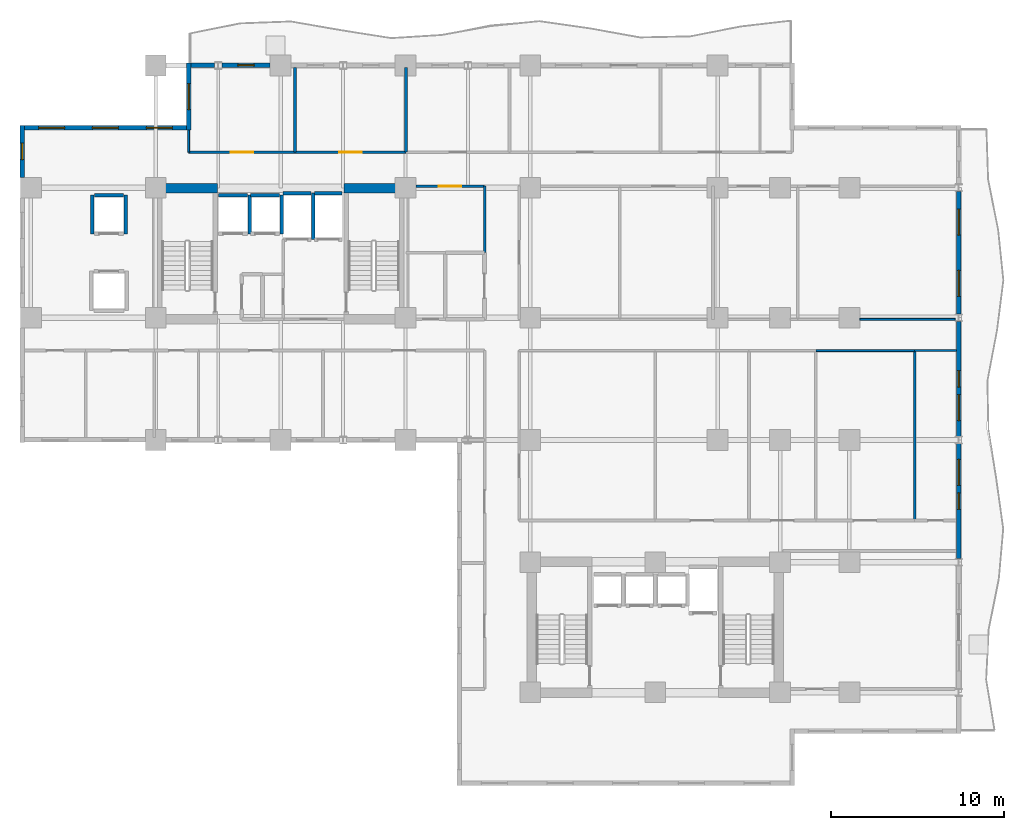
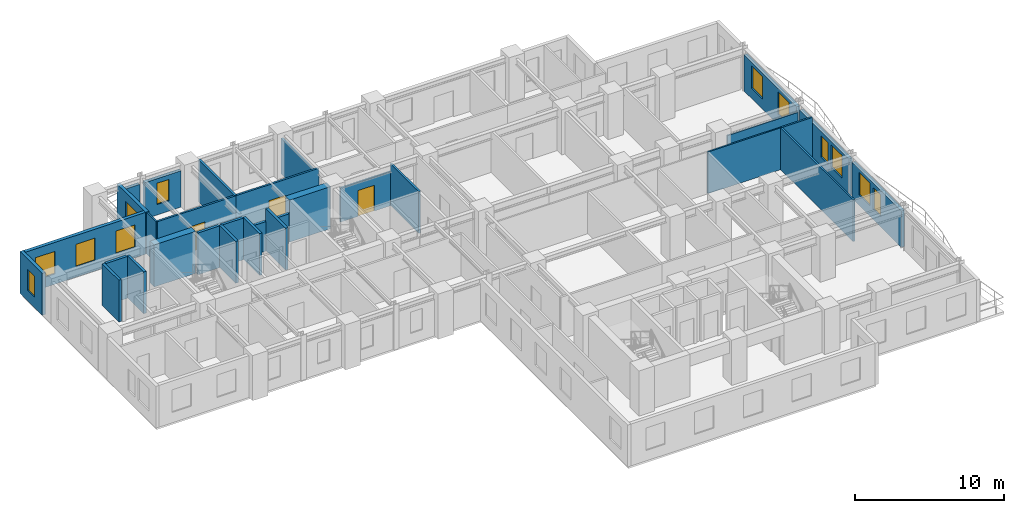
# One storey, part 6 of 11: 31 walls, 12 windows, 3 doors, 15 openings.
"""IFC4 building model written with IfcOpenShell, lengths in metres."""

import ifcopenshell
import ifcopenshell.guid

model = None  # the IFC model being written
_history = None  # IfcOwnerHistory: only IFC2X3 demands one
_inside = {}  # id of a spatial element -> (the spatial element, [elements in it])
_under = {}  # id of a project, library or spatial element -> (it, [spatial elements below it])
_declared = {}  # id of a project -> (the project, [libraries it declares])
_typed = {}  # id of a type object -> (the type object, [elements of that type])
_made_of = {}  # id of a material, layer set ... -> (it, [elements and type objects made of it])


def new_model(schema):
    """Start an empty IFC model of exactly this schema.

    Asked for "IFC4X3", IfcOpenShell would pick the latest addendum, in which some entities
    have other attributes; the version numbers below select the first issue.
    IFC2X3 requires an IfcOwnerHistory on every rooted entity: one is made here for all.
    """
    global model, _history
    if schema == "IFC4X3":
        model = ifcopenshell.file(schema_version=(4, 3, 0, 0))
    else:
        model = ifcopenshell.file(schema=schema)
    _inside.clear()
    _under.clear()
    _declared.clear()
    _typed.clear()
    _made_of.clear()
    _history = None
    if model.schema == "IFC2X3":
        org = make("IfcOrganization", Name="unknown")
        user = make(
            "IfcPersonAndOrganization",
            ThePerson=make("IfcPerson", FamilyName="unknown"),
            TheOrganization=org,
        )
        app = make(
            "IfcApplication",
            ApplicationDeveloper=org,
            Version="unknown",
            ApplicationFullName="unknown",
            ApplicationIdentifier="unknown",
        )
        _history = make(
            "IfcOwnerHistory",
            OwningUser=user,
            OwningApplication=app,
            ChangeAction="ADDED",
            CreationDate=0,
        )
    return model


def make(cls, **values):
    """One entity of the class cls with the attributes given. An attribute that is None is left unset."""
    return model.create_entity(
        cls, **{name: value for name, value in values.items() if value is not None}
    )


def rooted(cls, **values):
    """An entity with a GlobalId (a new one), such as an element, a storey or a relation."""
    return make(cls, GlobalId=ifcopenshell.guid.new(), OwnerHistory=_history, **values)


def si_unit(unit_type, name, prefix=None):
    """IfcSIUnit, for example si_unit("LENGTHUNIT", "METRE", prefix="MILLI")."""
    return make("IfcSIUnit", UnitType=unit_type, Prefix=prefix, Name=name)


def assignment(units):
    """IfcUnitAssignment: the units of a project."""
    return None if units is None else make("IfcUnitAssignment", Units=units)


def point(xyz):
    """IfcCartesianPoint."""
    return None if xyz is None else make("IfcCartesianPoint", Coordinates=xyz)


def direction(xyz):
    """IfcDirection."""
    return None if xyz is None else make("IfcDirection", DirectionRatios=xyz)


def frame(location, z_axis=None, x_axis=None):
    """IfcAxis2Placement3D, a coordinate frame: its origin and axes. An axis left out is left unset."""
    return make(
        "IfcAxis2Placement3D",
        Location=point(location),
        Axis=direction(z_axis),
        RefDirection=direction(x_axis),
    )


def frame_2d(location, x_axis=None):
    """IfcAxis2Placement2D, a coordinate frame in the plane: its origin and x axis."""
    return make(
        "IfcAxis2Placement2D", Location=point(location), RefDirection=direction(x_axis)
    )


def origin():
    """The frame at (0, 0, 0) with its axes left unset."""
    return frame((0.0, 0.0, 0.0))


def place(relative_to, where):
    """IfcLocalPlacement: puts the frame where relative to a parent placement (None: the world)."""
    return make(
        "IfcLocalPlacement", PlacementRelTo=relative_to, RelativePlacement=where
    )


def context(
    kind, dimensions, precision=None, world=None, true_north=None, identifier=None
):
    """IfcGeometricRepresentationContext, for example the 3D "Model" context."""
    return make(
        "IfcGeometricRepresentationContext",
        ContextIdentifier=identifier,
        ContextType=kind,
        CoordinateSpaceDimension=dimensions,
        Precision=precision,
        WorldCoordinateSystem=world,
        TrueNorth=true_north,
    )


def subcontext(parent, identifier, kind, view, scale=None):
    """IfcGeometricRepresentationSubContext, for example "Body" below "Model"."""
    return make(
        "IfcGeometricRepresentationSubContext",
        ContextIdentifier=identifier,
        ContextType=kind,
        ParentContext=parent,
        TargetScale=scale,
        TargetView=view,
    )


def project(units=None, contexts=None):
    """IfcProject with its units and contexts."""
    return rooted(
        "IfcProject",
        Name="project",
        RepresentationContexts=contexts,
        UnitsInContext=assignment(units),
    )


def spatial(cls, under=None, at=None, **own):
    """A site, building, storey or space (cls), placed at a placement, below another one or the project."""
    s = rooted(cls, ObjectPlacement=at, **own)
    if under is not None:
        _under.setdefault(under.id(), (under, []))[1].append(s)
    return s


def profile(cls, at=None, kind="AREA", **sizes):
    """A parametric profile (cls). Its sizes go by their IFC names, for example OverallWidth=200.0."""
    return make(cls, ProfileType=kind, Position=at, **sizes)


def rectangle(**sizes):
    """IfcRectangleProfileDef."""
    return profile("IfcRectangleProfileDef", **sizes)


def extrude(swept, where, along, depth):
    """IfcExtrudedAreaSolid: the profile swept, set in the frame where, extruded along a direction by depth."""
    return make(
        "IfcExtrudedAreaSolid",
        SweptArea=swept,
        Position=where,
        ExtrudedDirection=direction(along),
        Depth=depth,
    )


def shape(context_of_items, identifier, shape_type, items):
    """IfcShapeRepresentation: the items that make up one representation, for example the "Body"."""
    return make(
        "IfcShapeRepresentation",
        ContextOfItems=context_of_items,
        RepresentationIdentifier=identifier,
        RepresentationType=shape_type,
        Items=items,
    )


def material(Name=None, Category=None):
    """IfcMaterial."""
    return make("IfcMaterial", Name=Name, Category=Category)


def layer(
    of_material, thickness, ventilated=None, Name=None, Category=None, Priority=None
):
    """IfcMaterialLayer: one layer of a wall or slab, of a material (None: an air gap)."""
    return make(
        "IfcMaterialLayer",
        Material=of_material,
        LayerThickness=thickness,
        IsVentilated=ventilated,
        Name=Name,
        Category=Category,
        Priority=Priority,
    )


def layer_set(layers, Name=None):
    """IfcMaterialLayerSet."""
    return make("IfcMaterialLayerSet", MaterialLayers=layers, LayerSetName=Name)


def made_of(thing, what):
    """Note that an element or type object is made of a material, layer set ...; save() writes the relation."""
    if what is not None:
        _made_of.setdefault(what.id(), (what, []))[1].append(thing)
    return thing


def type_object(cls, material=None, **own):
    """A type object (cls), such as IfcWallType, which elements share."""
    return made_of(rooted(cls, **own), material)


def element(
    cls,
    number,
    at=None,
    inside=None,
    cuts=None,
    type_object=None,
    material=None,
    context=None,
    identifier="Body",
    shape_type=None,
    held_by="IfcProductDefinitionShape",
    body=None,
    shapes=None,
    **own,
):
    """One element of the class cls, such as IfcWall. Its Tag is "e" and its number.

    at: its placement. inside: the storey or other place that contains it. cuts: it is an
    opening in that element (IfcRelVoidsElement). A single representation is given by context,
    identifier, shape_type and body (its items); several are given by shapes. held_by: the class
    of the entity that holds the representations. save() writes the other relations.
    """
    e = rooted(cls, Tag="e%d" % number, ObjectPlacement=at, **own)
    if body is not None:
        shapes = [shape(context, identifier, shape_type, body)]
    if shapes is not None:
        e.Representation = make(held_by, Representations=shapes)
    if inside is not None:
        _inside.setdefault(inside.id(), (inside, []))[1].append(e)
    if cuts is not None:
        rooted(
            "IfcRelVoidsElement", RelatingBuildingElement=cuts, RelatedOpeningElement=e
        )
    if type_object is not None:
        _typed.setdefault(type_object.id(), (type_object, []))[1].append(e)
    return made_of(e, material)


def fill(opening, filler):
    """IfcRelFillsElement: the door or window that sits in an opening."""
    return rooted(
        "IfcRelFillsElement",
        RelatingOpeningElement=opening,
        RelatedBuildingElement=filler,
    )


def aggregate(whole, parts):
    """IfcRelAggregates: a whole, such as a stair, and the parts it consists of."""
    return rooted("IfcRelAggregates", RelatingObject=whole, RelatedObjects=parts)


def save(model, path):
    """Write the relations noted so far, then the file.

    IfcRelAggregates (storeys below a building ...), IfcRelContainedInSpatialStructure (elements
    in a storey), IfcRelDefinesByType, IfcRelAssociatesMaterial and IfcRelDeclares: one each for
    every whole, place, type object, material and project.
    """
    for whole, parts in _under.values():
        aggregate(whole, parts)
    for where, things in _inside.values():
        rooted(
            "IfcRelContainedInSpatialStructure",
            RelatedElements=things,
            RelatingStructure=where,
        )
    for kind, things in _typed.values():
        rooted("IfcRelDefinesByType", RelatedObjects=things, RelatingType=kind)
    for what, things in _made_of.values():
        rooted("IfcRelAssociatesMaterial", RelatedObjects=things, RelatingMaterial=what)
    for by, libraries in _declared.values():
        rooted("IfcRelDeclares", RelatingContext=by, RelatedDefinitions=libraries)
    model.write(path)


model = new_model("IFC4")

# Units and contexts
model_context = context("Model", 3, precision=1e-05, world=origin(), true_north=direction((0.0, 1.0)))
body_context = subcontext(model_context, "Body", "Model", "MODEL_VIEW")
ifc_project = project(units=[si_unit("LENGTHUNIT", "METRE"), si_unit("AREAUNIT", "SQUARE_METRE"), si_unit("VOLUMEUNIT", "CUBIC_METRE"), si_unit("PLANEANGLEUNIT", "RADIAN"), si_unit("MASSUNIT", "GRAM", prefix="KILO")], contexts=[model_context])

# Site, building, storey
site_placement = place(None, origin())
site = spatial("IfcSite", under=ifc_project, at=site_placement, CompositionType="ELEMENT")
building_placement = place(site_placement, origin())
building = spatial("IfcBuilding", under=site, at=building_placement, Name="Kaliganga Portal Commons", CompositionType="ELEMENT")
storey_placement = place(building_placement, frame((0.0, 0.0, 115.60009765625)))
storey = spatial("IfcBuildingStorey", under=building, at=storey_placement, Name="L29", CompositionType="ELEMENT", Elevation=115.60009765625)

# Walls
ifc_material_1 = material(Name="Concrete C60/75", Category="concrete")
ifc_layer_1 = layer(ifc_material_1, 0.550048828125)
ifc_layer_set_1 = layer_set([ifc_layer_1], Name="Concrete C60/75")
wall_type_1 = type_object("IfcWallType", Name="WL-CORE-550", PredefinedType="SHEAR", material=ifc_layer_set_1)
for number, where, z_axis, x_axis, name in (
    (1, (14.75, 36.125, 0.0), (0.0, 0.0, 1.0), (1.0, 0.0, 0.0), "Core A N-West Shear Wall L29"),
    (2, (25.25, 36.125, 0.0), (0.0, 0.0, 1.0), (1.0, 0.0, 0.0), "Core A N-East Shear Wall L29"),
):
    element("IfcWall", number, at=place(storey_placement, frame(where, z_axis=z_axis, x_axis=x_axis)), inside=storey, type_object=wall_type_1, Name=name, PredefinedType="SHEAR", context=body_context, shape_type="SweptSolid", body=[
        extrude(rectangle(XDim=3.199951171875, YDim=0.550048828125, at=frame_2d((1.60009765625, 0.0))), origin(), (0.0, 0.0, 1.0), 3.449951171875),
    ])

# Wall, openings, windows
ifc_material_2 = material(Name="Insulated Aluminium-Clad Spandrel Assembly", Category="aluminium")
ifc_layer_2 = layer(ifc_material_2, 0.260009765625)
ifc_layer_set_2 = layer_set([ifc_layer_2], Name="Insulated Aluminium-Clad Spandrel Assembly")
wall_type_2 = type_object("IfcWallType", Name="WL-EXT-SPAND-260", PredefinedType="STANDARD", material=ifc_layer_set_2)
wall_1_placement = place(storey_placement, frame((60.699951171875, 21.384033203125, 0.0), z_axis=(0.0, 0.0, 1.0), x_axis=(0.0, -1.0, 0.0)))
wall_1 = element("IfcWall", 3, at=wall_1_placement, inside=storey, type_object=wall_type_2, Name="Exterior Envelope Wall L29 P1-E03-S3", PredefinedType="STANDARD", context=body_context, shape_type="SweptSolid", body=[
    extrude(rectangle(XDim=6.617919921875, YDim=0.260009765625, at=frame_2d((3.30908203125, 0.0))), origin(), (0.0, 0.0, 1.0), 2.97998046875),
])
opening_1_placement = place(wall_1_placement, frame((0.904541015625, 0.0, 0.85009765625)))
opening_1 = element("IfcOpeningElement", 4, at=opening_1_placement, cuts=wall_1, Name="Opening W-02", PredefinedType="OPENING", context=body_context, shape_type="SweptSolid", body=[
    extrude(rectangle(XDim=1.5, YDim=1.85009765625, at=frame_2d((0.75, 0.925048828125))), frame((0.0, 0.14013671875, 0.0), z_axis=(0.0, -1.0, 0.0), x_axis=(1.0, 0.0, 0.0)), (0.0, 0.0, 1.0), 0.280029296875),
])
opening_2_placement = place(wall_1_placement, frame((2.833984375, 0.0, 0.85009765625)))
opening_2 = element("IfcOpeningElement", 5, at=opening_2_placement, cuts=wall_1, Name="Opening W-04", PredefinedType="OPENING", context=body_context, shape_type="SweptSolid", body=[
    extrude(rectangle(XDim=0.949951171875, YDim=1.75, at=frame_2d((0.47509765625, 0.875))), frame((0.0, 0.14013671875, 0.0), z_axis=(0.0, -1.0, 0.0), x_axis=(1.0, 0.0, 0.0)), (0.0, 0.0, 1.0), 0.280029296875),
])
ifc_material_3 = material(Name="Thermally Broken Aluminium and Low-E Double Glazing", Category="aluminium")
window_type_1 = type_object("IfcWindowType", Name="WIN-NARROW-950", PartitioningType="SINGLE_PANEL", PredefinedType="WINDOW", material=ifc_material_3)
window_1_placement = place(opening_2_placement, origin())
window_1 = element("IfcWindow", 6, at=window_1_placement, inside=storey, type_object=window_type_1, Name="Facade Window L29-P1E03S3-N0", OverallHeight=1.75, OverallWidth=0.949951171875, PartitioningType="SINGLE_PANEL", PredefinedType="WINDOW", context=body_context, shape_type="SweptSolid", body=[
    extrude(rectangle(XDim=0.949951171875, YDim=1.75, at=frame_2d((0.47509765625, 0.875))), frame((0.0, 0.030029296875, 0.0), z_axis=(0.0, -1.0, 0.0), x_axis=(1.0, 0.0, 0.0)), (0.0, 0.0, 1.0), 0.06005859375),
])
fill(opening_2, window_1)
window_type_2 = type_object("IfcWindowType", Name="WIN-STD-1500", PartitioningType="DOUBLE_PANEL_VERTICAL", PredefinedType="WINDOW", material=ifc_material_3)
window_2_placement = place(opening_1_placement, origin())
window_2 = element("IfcWindow", 7, at=window_2_placement, inside=storey, type_object=window_type_2, Name="Facade Window L29-P1E03S3-00", OverallHeight=1.85009765625, OverallWidth=1.5, PartitioningType="SINGLE_PANEL", PredefinedType="WINDOW", context=body_context, shape_type="SweptSolid", body=[
    extrude(rectangle(XDim=1.5, YDim=1.85009765625, at=frame_2d((0.75, 0.925048828125))), frame((0.0, 0.030029296875, 0.0), z_axis=(0.0, -1.0, 0.0), x_axis=(1.0, 0.0, 0.0)), (0.0, 0.0, 1.0), 0.06005859375),
])
fill(opening_1, window_2)

wall_2_placement = place(storey_placement, frame((60.699951171875, 28.43408203125, 0.0), z_axis=(0.0, 0.0, 1.0), x_axis=(0.0, -1.0, 0.0)))
wall_2 = element("IfcWall", 8, at=wall_2_placement, inside=storey, type_object=wall_type_2, Name="Exterior Envelope Wall L29 P1-E03-S4", PredefinedType="STANDARD", context=body_context, shape_type="SweptSolid", body=[
    extrude(rectangle(XDim=6.6181640625, YDim=0.260009765625, at=frame_2d((3.30908203125, 0.0))), origin(), (0.0, 0.0, 1.0), 2.97998046875),
])
opening_3_placement = place(wall_2_placement, frame((4.21337890625, 0.0, 0.85009765625)))
opening_3 = element("IfcOpeningElement", 9, at=opening_3_placement, cuts=wall_2, Name="Opening W-02", PredefinedType="OPENING", context=body_context, shape_type="SweptSolid", body=[
    extrude(rectangle(XDim=1.5, YDim=1.85009765625, at=frame_2d((0.75, 0.925048828125))), frame((0.0, 0.14013671875, 0.0), z_axis=(0.0, -1.0, 0.0), x_axis=(1.0, 0.0, 0.0)), (0.0, 0.0, 1.0), 0.280029296875),
])
opening_4_placement = place(wall_2_placement, frame((2.833984375, 0.0, 0.85009765625)))
opening_4 = element("IfcOpeningElement", 10, at=opening_4_placement, cuts=wall_2, Name="Opening W-04", PredefinedType="OPENING", context=body_context, shape_type="SweptSolid", body=[
    extrude(rectangle(XDim=0.949951171875, YDim=1.75, at=frame_2d((0.47509765625, 0.875))), frame((0.0, 0.14013671875, 0.0), z_axis=(0.0, -1.0, 0.0), x_axis=(1.0, 0.0, 0.0)), (0.0, 0.0, 1.0), 0.280029296875),
])
window_3_placement = place(opening_4_placement, origin())
window_3 = element("IfcWindow", 11, at=window_3_placement, inside=storey, type_object=window_type_1, Name="Facade Window L29-P1E03S4-N0", OverallHeight=1.75, OverallWidth=0.949951171875, PartitioningType="SINGLE_PANEL", PredefinedType="WINDOW", context=body_context, shape_type="SweptSolid", body=[
    extrude(rectangle(XDim=0.949951171875, YDim=1.75, at=frame_2d((0.47509765625, 0.875))), frame((0.0, 0.030029296875, 0.0), z_axis=(0.0, -1.0, 0.0), x_axis=(1.0, 0.0, 0.0)), (0.0, 0.0, 1.0), 0.06005859375),
])
fill(opening_4, window_3)
window_4_placement = place(opening_3_placement, origin())
window_4 = element("IfcWindow", 12, at=window_4_placement, inside=storey, type_object=window_type_2, Name="Facade Window L29-P1E03S4-01", OverallHeight=1.85009765625, OverallWidth=1.5, PartitioningType="SINGLE_PANEL", PredefinedType="WINDOW", context=body_context, shape_type="SweptSolid", body=[
    extrude(rectangle(XDim=1.5, YDim=1.85009765625, at=frame_2d((0.75, 0.925048828125))), frame((0.0, 0.030029296875, 0.0), z_axis=(0.0, -1.0, 0.0), x_axis=(1.0, 0.0, 0.0)), (0.0, 0.0, 1.0), 0.06005859375),
])
fill(opening_3, window_4)

wall_3_placement = place(storey_placement, frame((60.699951171875, 35.93408203125, 0.0), z_axis=(0.0, 0.0, 1.0), x_axis=(0.0, -1.0, 0.0)))
wall_3 = element("IfcWall", 13, at=wall_3_placement, inside=storey, type_object=wall_type_2, Name="Exterior Envelope Wall L29 P1-E03-S5", PredefinedType="STANDARD", context=body_context, shape_type="SweptSolid", body=[
    extrude(rectangle(XDim=7.068115234375, YDim=0.260009765625, at=frame_2d((3.5341796875, 0.0))), origin(), (0.0, 0.0, 1.0), 2.97998046875),
])
opening_5_placement = place(wall_3_placement, frame((1.01708984375, 0.0, 0.85009765625)))
opening_5 = element("IfcOpeningElement", 14, at=opening_5_placement, cuts=wall_3, Name="Opening W-02", PredefinedType="OPENING", context=body_context, shape_type="SweptSolid", body=[
    extrude(rectangle(XDim=1.5, YDim=1.85009765625, at=frame_2d((0.75, 0.925048828125))), frame((0.0, 0.14013671875, 0.0), z_axis=(0.0, -1.0, 0.0), x_axis=(1.0, 0.0, 0.0)), (0.0, 0.0, 1.0), 0.280029296875),
])
opening_6_placement = place(wall_3_placement, frame((4.551025390625, 0.0, 0.85009765625)))
opening_6 = element("IfcOpeningElement", 15, at=opening_6_placement, cuts=wall_3, Name="Opening W-02", PredefinedType="OPENING", context=body_context, shape_type="SweptSolid", body=[
    extrude(rectangle(XDim=1.5, YDim=1.85009765625, at=frame_2d((0.75, 0.925048828125))), frame((0.0, 0.14013671875, 0.0), z_axis=(0.0, -1.0, 0.0), x_axis=(1.0, 0.0, 0.0)), (0.0, 0.0, 1.0), 0.280029296875),
])
window_5_placement = place(opening_5_placement, origin())
window_5 = element("IfcWindow", 16, at=window_5_placement, inside=storey, type_object=window_type_2, Name="Facade Window L29-P1E03S5-00", OverallHeight=1.85009765625, OverallWidth=1.5, PartitioningType="SINGLE_PANEL", PredefinedType="WINDOW", context=body_context, shape_type="SweptSolid", body=[
    extrude(rectangle(XDim=1.5, YDim=1.85009765625, at=frame_2d((0.75, 0.925048828125))), frame((0.0, 0.030029296875, 0.0), z_axis=(0.0, -1.0, 0.0), x_axis=(1.0, 0.0, 0.0)), (0.0, 0.0, 1.0), 0.06005859375),
])
fill(opening_5, window_5)
window_6_placement = place(opening_6_placement, origin())
window_6 = element("IfcWindow", 17, at=window_6_placement, inside=storey, type_object=window_type_2, Name="Facade Window L29-P1E03S5-01", OverallHeight=1.85009765625, OverallWidth=1.5, PartitioningType="SINGLE_PANEL", PredefinedType="WINDOW", context=body_context, shape_type="SweptSolid", body=[
    extrude(rectangle(XDim=1.5, YDim=1.85009765625, at=frame_2d((0.75, 0.925048828125))), frame((0.0, 0.030029296875, 0.0), z_axis=(0.0, -1.0, 0.0), x_axis=(1.0, 0.0, 0.0)), (0.0, 0.0, 1.0), 0.06005859375),
])
fill(opening_6, window_6)

# Wall, opening, window
wall_4_placement = place(storey_placement, frame((18.20556640625, 43.199951171875, 0.0), z_axis=(0.0, 0.0, 1.0), x_axis=(1.0, 0.0, 0.0)))
wall_4 = element("IfcWall", 18, at=wall_4_placement, inside=storey, type_object=wall_type_2, Name="Exterior Envelope Wall L29 P1-E06-S7", PredefinedType="STANDARD", context=body_context, shape_type="SweptSolid", body=[
    extrude(rectangle(XDim=2.79345703125, YDim=0.260009765625, at=frame_2d((1.396728515625, 0.0))), origin(), (0.0, 0.0, 1.0), 2.97998046875),
])
opening_7_placement = place(wall_4_placement, frame((0.921630859375, 0.0, 0.85009765625)))
opening_7 = element("IfcOpeningElement", 19, at=opening_7_placement, cuts=wall_4, Name="Opening W-04", PredefinedType="OPENING", context=body_context, shape_type="SweptSolid", body=[
    extrude(rectangle(XDim=0.949951171875, YDim=1.75, at=frame_2d((0.47509765625, 0.875))), frame((0.0, 0.14013671875, 0.0), z_axis=(0.0, -1.0, 0.0), x_axis=(1.0, 0.0, 0.0)), (0.0, 0.0, 1.0), 0.280029296875),
])
window_7_placement = place(opening_7_placement, origin())
window_7 = element("IfcWindow", 20, at=window_7_placement, inside=storey, type_object=window_type_1, Name="Facade Window L29-P1E06S7-00", OverallHeight=1.75, OverallWidth=0.949951171875, PartitioningType="SINGLE_PANEL", PredefinedType="WINDOW", context=body_context, shape_type="SweptSolid", body=[
    extrude(rectangle(XDim=0.949951171875, YDim=1.75, at=frame_2d((0.47509765625, 0.875))), frame((0.0, 0.030029296875, 0.0), z_axis=(0.0, -1.0, 0.0), x_axis=(1.0, 0.0, 0.0)), (0.0, 0.0, 1.0), 0.06005859375),
])
fill(opening_7, window_7)

# Wall
wall_5_placement = place(storey_placement, frame((16.43505859375, 43.199951171875, 0.0), z_axis=(0.0, 0.0, 1.0), x_axis=(1.0, 0.0, 0.0)))
element("IfcWall", 21, at=wall_5_placement, inside=storey, type_object=wall_type_2, Name="Exterior Envelope Wall L29 P1-E06-S8", PredefinedType="STANDARD", context=body_context, shape_type="SweptSolid", body=[
    extrude(rectangle(XDim=1.359375, YDim=0.260009765625, at=frame_2d((0.6796875, 0.0))), origin(), (0.0, 0.0, 1.0), 2.97998046875),
])

# Wall, opening, window
wall_6_placement = place(storey_placement, frame((16.300048828125, 39.469970703125, 0.0), z_axis=(0.0, 0.0, 1.0), x_axis=(0.0, 1.0, 0.0)))
wall_6 = element("IfcWall", 22, at=wall_6_placement, inside=storey, type_object=wall_type_2, Name="Exterior Envelope Wall L29 P1-E07-S1", PredefinedType="STANDARD", context=body_context, shape_type="SweptSolid", body=[
    extrude(rectangle(XDim=3.860107421875, YDim=0.260009765625, at=frame_2d((1.93017578125, 0.0))), origin(), (0.0, 0.0, 1.0), 3.429931640625),
])
opening_8_placement = place(wall_6_placement, frame((1.179931640625, 0.0, 0.85009765625)))
opening_8 = element("IfcOpeningElement", 23, at=opening_8_placement, cuts=wall_6, Name="Opening W-02", PredefinedType="OPENING", context=body_context, shape_type="SweptSolid", body=[
    extrude(rectangle(XDim=1.5, YDim=1.85009765625, at=frame_2d((0.75, 0.925048828125))), frame((0.0, 0.14013671875, 0.0), z_axis=(0.0, -1.0, 0.0), x_axis=(1.0, 0.0, 0.0)), (0.0, 0.0, 1.0), 0.280029296875),
])
window_8_placement = place(opening_8_placement, origin())
window_8 = element("IfcWindow", 24, at=window_8_placement, inside=storey, type_object=window_type_2, Name="Facade Window L29-P1E07S1-00", OverallHeight=1.85009765625, OverallWidth=1.5, PartitioningType="SINGLE_PANEL", PredefinedType="WINDOW", context=body_context, shape_type="SweptSolid", body=[
    extrude(rectangle(XDim=1.5, YDim=1.85009765625, at=frame_2d((0.75, 0.925048828125))), frame((0.0, 0.030029296875, 0.0), z_axis=(0.0, -1.0, 0.0), x_axis=(1.0, 0.0, 0.0)), (0.0, 0.0, 1.0), 0.06005859375),
])
fill(opening_8, window_8)

# Wall, openings, windows
wall_7_placement = place(storey_placement, frame((6.8349609375, 39.60009765625, 0.0), z_axis=(0.0, 0.0, 1.0), x_axis=(1.0, 0.0, 0.0)))
wall_7 = element("IfcWall", 25, at=wall_7_placement, inside=storey, type_object=wall_type_2, Name="Exterior Envelope Wall L29 P1-E08-S1", PredefinedType="STANDARD", context=body_context, shape_type="SweptSolid", body=[
    extrude(rectangle(XDim=9.330078125, YDim=0.260009765625, at=frame_2d((4.6650390625, 0.0))), origin(), (0.0, 0.0, 1.0), 3.429931640625),
])
opening_9_placement = place(wall_7_placement, frame((0.804931640625, 0.0, 0.85009765625)))
opening_9 = element("IfcOpeningElement", 26, at=opening_9_placement, cuts=wall_7, Name="Opening W-02", PredefinedType="OPENING", context=body_context, shape_type="SweptSolid", body=[
    extrude(rectangle(XDim=1.5, YDim=1.85009765625, at=frame_2d((0.75, 0.925048828125))), frame((0.0, 0.14013671875, 0.0), z_axis=(0.0, -1.0, 0.0), x_axis=(1.0, 0.0, 0.0)), (0.0, 0.0, 1.0), 0.280029296875),
])
opening_10_placement = place(wall_7_placement, frame((3.9150390625, 0.0, 0.85009765625)))
opening_10 = element("IfcOpeningElement", 27, at=opening_10_placement, cuts=wall_7, Name="Opening W-02", PredefinedType="OPENING", context=body_context, shape_type="SweptSolid", body=[
    extrude(rectangle(XDim=1.5, YDim=1.85009765625, at=frame_2d((0.75, 0.925048828125))), frame((0.0, 0.14013671875, 0.0), z_axis=(0.0, -1.0, 0.0), x_axis=(1.0, 0.0, 0.0)), (0.0, 0.0, 1.0), 0.280029296875),
])
opening_11_placement = place(wall_7_placement, frame((7.02490234375, 0.0, 0.85009765625)))
opening_11 = element("IfcOpeningElement", 28, at=opening_11_placement, cuts=wall_7, Name="Opening W-02", PredefinedType="OPENING", context=body_context, shape_type="SweptSolid", body=[
    extrude(rectangle(XDim=1.5, YDim=1.85009765625, at=frame_2d((0.75, 0.925048828125))), frame((0.0, 0.14013671875, 0.0), z_axis=(0.0, -1.0, 0.0), x_axis=(1.0, 0.0, 0.0)), (0.0, 0.0, 1.0), 0.280029296875),
])
window_9_placement = place(opening_9_placement, origin())
window_9 = element("IfcWindow", 29, at=window_9_placement, inside=storey, type_object=window_type_2, Name="Facade Window L29-P1E08S1-00", OverallHeight=1.85009765625, OverallWidth=1.5, PartitioningType="SINGLE_PANEL", PredefinedType="WINDOW", context=body_context, shape_type="SweptSolid", body=[
    extrude(rectangle(XDim=1.5, YDim=1.85009765625, at=frame_2d((0.75, 0.925048828125))), frame((0.0, 0.030029296875, 0.0), z_axis=(0.0, -1.0, 0.0), x_axis=(1.0, 0.0, 0.0)), (0.0, 0.0, 1.0), 0.06005859375),
])
fill(opening_9, window_9)
window_10_placement = place(opening_10_placement, origin())
window_10 = element("IfcWindow", 30, at=window_10_placement, inside=storey, type_object=window_type_2, Name="Facade Window L29-P1E08S1-01", OverallHeight=1.85009765625, OverallWidth=1.5, PartitioningType="SINGLE_PANEL", PredefinedType="WINDOW", context=body_context, shape_type="SweptSolid", body=[
    extrude(rectangle(XDim=1.5, YDim=1.85009765625, at=frame_2d((0.75, 0.925048828125))), frame((0.0, 0.030029296875, 0.0), z_axis=(0.0, -1.0, 0.0), x_axis=(1.0, 0.0, 0.0)), (0.0, 0.0, 1.0), 0.06005859375),
])
fill(opening_10, window_10)
window_11_placement = place(opening_11_placement, origin())
window_11 = element("IfcWindow", 31, at=window_11_placement, inside=storey, type_object=window_type_2, Name="Facade Window L29-P1E08S1-02", OverallHeight=1.85009765625, OverallWidth=1.5, PartitioningType="SINGLE_PANEL", PredefinedType="WINDOW", context=body_context, shape_type="SweptSolid", body=[
    extrude(rectangle(XDim=1.5, YDim=1.85009765625, at=frame_2d((0.75, 0.925048828125))), frame((0.0, 0.030029296875, 0.0), z_axis=(0.0, -1.0, 0.0), x_axis=(1.0, 0.0, 0.0)), (0.0, 0.0, 1.0), 0.06005859375),
])
fill(opening_11, window_11)

# Wall, opening, window
wall_8_placement = place(storey_placement, frame((6.699951171875, 36.7509765625, 0.0), z_axis=(0.0, 0.0, 1.0), x_axis=(0.0, 1.0, 0.0)))
wall_8 = element("IfcWall", 32, at=wall_8_placement, inside=storey, type_object=wall_type_2, Name="Exterior Envelope Wall L29 P1-E09-S1", PredefinedType="STANDARD", context=body_context, shape_type="SweptSolid", body=[
    extrude(rectangle(XDim=2.97900390625, YDim=0.260009765625, at=frame_2d((1.489501953125, 0.0))), origin(), (0.0, 0.0, 1.0), 3.429931640625),
])
opening_12_placement = place(wall_8_placement, frame((1.014404296875, 0.0, 0.85009765625)))
opening_12 = element("IfcOpeningElement", 33, at=opening_12_placement, cuts=wall_8, Name="Opening W-04", PredefinedType="OPENING", context=body_context, shape_type="SweptSolid", body=[
    extrude(rectangle(XDim=0.949951171875, YDim=1.75, at=frame_2d((0.47509765625, 0.875))), frame((0.0, 0.14013671875, 0.0), z_axis=(0.0, -1.0, 0.0), x_axis=(1.0, 0.0, 0.0)), (0.0, 0.0, 1.0), 0.280029296875),
])
window_12_placement = place(opening_12_placement, origin())
window_12 = element("IfcWindow", 34, at=window_12_placement, inside=storey, type_object=window_type_1, Name="Facade Window L29-P1E09S1-00", OverallHeight=1.75, OverallWidth=0.949951171875, PartitioningType="SINGLE_PANEL", PredefinedType="WINDOW", context=body_context, shape_type="SweptSolid", body=[
    extrude(rectangle(XDim=0.949951171875, YDim=1.75, at=frame_2d((0.47509765625, 0.875))), frame((0.0, 0.030029296875, 0.0), z_axis=(0.0, -1.0, 0.0), x_axis=(1.0, 0.0, 0.0)), (0.0, 0.0, 1.0), 0.06005859375),
])
fill(opening_12, window_12)

# Wall, opening, door
ifc_material_4 = material(Name="Fire-Rated Gypsum Board on Steel Stud", Category="steel")
ifc_layer_3 = layer(ifc_material_4, 0.14990234375)
ifc_layer_set_3 = layer_set([ifc_layer_3], Name="Fire-Rated Gypsum Board on Steel Stud")
wall_type_3 = type_object("IfcWallType", Name="WL-PART-CORR-150", PredefinedType="PARTITIONING", material=ifc_layer_set_3)
wall_9_placement = place(storey_placement, frame((22.419921875, 38.199951171875, 0.0), z_axis=(0.0, 0.0, 1.0), x_axis=(1.0, 0.0, 0.0)))
wall_9 = element("IfcWall", 35, at=wall_9_placement, inside=storey, type_object=wall_type_3, Name="Interior Partition L29-014", PredefinedType="PARTITIONING", context=body_context, shape_type="SweptSolid", body=[
    extrude(rectangle(XDim=6.420166015625, YDim=0.14990234375, at=frame_2d((3.2099609375, 0.0))), origin(), (0.0, 0.0, 1.0), 3.429931640625),
])
opening_13_placement = place(wall_9_placement, frame((2.56005859375, 0.0, 0.0)))
opening_13 = element("IfcOpeningElement", 36, at=opening_13_placement, cuts=wall_9, Name="Opening RD-03", PredefinedType="OPENING", context=body_context, shape_type="SweptSolid", body=[
    extrude(rectangle(XDim=1.300048828125, YDim=2.1201171875, at=frame_2d((0.64990234375, 1.06005859375))), frame((0.0, 0.0849609375, 0.0), z_axis=(0.0, -1.0, 0.0), x_axis=(1.0, 0.0, 0.0)), (0.0, 0.0, 1.0), 0.169921875),
])
ifc_material_5 = material(Name="Glazed Timber Seminar Vision Door", Category="wood")
door_type = type_object("IfcDoorType", Name="DR-STUDY-1300", OperationType="DOUBLE_DOOR_SINGLE_SWING", PredefinedType="DOOR", material=ifc_material_5)
door_1_placement = place(opening_13_placement, origin())
door_1 = element("IfcDoor", 37, at=door_1_placement, inside=storey, type_object=door_type, Name="Interior Door L29-AN02", OperationType="DOUBLE_DOOR_SINGLE_SWING", OverallHeight=2.1201171875, OverallWidth=1.300048828125, PredefinedType="DOOR", context=body_context, shape_type="SweptSolid", body=[
    extrude(rectangle(XDim=1.300048828125, YDim=2.1201171875, at=frame_2d((0.64990234375, 1.06005859375))), frame((0.0, 0.02490234375, 0.0), z_axis=(0.0, -1.0, 0.0), x_axis=(1.0, 0.0, 0.0)), (0.0, 0.0, 1.0), 0.050048828125),
])
fill(opening_13, door_1)

wall_10_placement = place(storey_placement, frame((16.300048828125, 38.199951171875, 0.0), z_axis=(0.0, 0.0, 1.0), x_axis=(1.0, 0.0, 0.0)))
wall_10 = element("IfcWall", 38, at=wall_10_placement, inside=storey, type_object=wall_type_3, Name="Interior Partition L29-015", PredefinedType="PARTITIONING", context=body_context, shape_type="SweptSolid", body=[
    extrude(rectangle(XDim=6.119873046875, YDim=0.14990234375, at=frame_2d((3.06005859375, 0.0))), origin(), (0.0, 0.0, 1.0), 3.429931640625),
])
opening_14_placement = place(wall_10_placement, frame((2.409912109375, 0.0, 0.0)))
opening_14 = element("IfcOpeningElement", 39, at=opening_14_placement, cuts=wall_10, Name="Opening RD-03", PredefinedType="OPENING", context=body_context, shape_type="SweptSolid", body=[
    extrude(rectangle(XDim=1.300048828125, YDim=2.1201171875, at=frame_2d((0.64990234375, 1.06005859375))), frame((0.0, 0.0849609375, 0.0), z_axis=(0.0, -1.0, 0.0), x_axis=(1.0, 0.0, 0.0)), (0.0, 0.0, 1.0), 0.169921875),
])
door_2_placement = place(opening_14_placement, origin())
door_2 = element("IfcDoor", 40, at=door_2_placement, inside=storey, type_object=door_type, Name="Interior Door L29-AN01", OperationType="DOUBLE_DOOR_SINGLE_SWING", OverallHeight=2.1201171875, OverallWidth=1.300048828125, PredefinedType="DOOR", context=body_context, shape_type="SweptSolid", body=[
    extrude(rectangle(XDim=1.300048828125, YDim=2.1201171875, at=frame_2d((0.64990234375, 1.06005859375))), frame((0.0, 0.02490234375, 0.0), z_axis=(0.0, -1.0, 0.0), x_axis=(1.0, 0.0, 0.0)), (0.0, 0.0, 1.0), 0.050048828125),
])
fill(opening_14, door_2)

wall_11_placement = place(storey_placement, frame((29.39990234375, 36.239990234375, 0.0), z_axis=(0.0, 0.0, 1.0), x_axis=(1.0, 0.0, 0.0)))
wall_11 = element("IfcWall", 41, at=wall_11_placement, inside=storey, type_object=wall_type_3, Name="Interior Partition L29-025", PredefinedType="PARTITIONING", context=body_context, shape_type="SweptSolid", body=[
    extrude(rectangle(XDim=3.960205078125, YDim=0.14990234375, at=frame_2d((1.97998046875, 0.0))), origin(), (0.0, 0.0, 1.0), 2.77978515625),
])
opening_15_placement = place(wall_11_placement, frame((1.330078125, 0.0, 0.0)))
opening_15 = element("IfcOpeningElement", 42, at=opening_15_placement, cuts=wall_11, Name="Opening RD-03", PredefinedType="OPENING", context=body_context, shape_type="SweptSolid", body=[
    extrude(rectangle(XDim=1.300048828125, YDim=2.1201171875, at=frame_2d((0.64990234375, 1.06005859375))), frame((0.0, 0.0849609375, 0.0), z_axis=(0.0, -1.0, 0.0), x_axis=(1.0, 0.0, 0.0)), (0.0, 0.0, 1.0), 0.169921875),
])
door_3_placement = place(opening_15_placement, origin())
door_3 = element("IfcDoor", 43, at=door_3_placement, inside=storey, type_object=door_type, Name="Interior Door L29-CSRV_A2", OperationType="DOUBLE_DOOR_SINGLE_SWING", OverallHeight=2.1201171875, OverallWidth=1.300048828125, PredefinedType="DOOR", context=body_context, shape_type="SweptSolid", body=[
    extrude(rectangle(XDim=1.300048828125, YDim=2.1201171875, at=frame_2d((0.64990234375, 1.06005859375))), frame((0.0, 0.02490234375, 0.0), z_axis=(0.0, -1.0, 0.0), x_axis=(1.0, 0.0, 0.0)), (0.0, 0.0, 1.0), 0.050048828125),
])
fill(opening_15, door_3)

# Walls
wall_12_placement = place(storey_placement, frame((33.360107421875, 32.39990234375, 0.0), z_axis=(0.0, 0.0, 1.0), x_axis=(0.0, 1.0, 0.0)))
element("IfcWall", 44, at=wall_12_placement, inside=storey, type_object=wall_type_3, Name="Interior Partition L29-028", PredefinedType="PARTITIONING", context=body_context, shape_type="SweptSolid", body=[
    extrude(rectangle(XDim=3.840087890625, YDim=0.14990234375, at=frame_2d((1.919921875, 0.0))), origin(), (0.0, 0.0, 1.0), 3.429931640625),
])
ifc_material_6 = material(Name="Moisture-Resistant Gypsum Partition", Category="gypsum")
ifc_layer_4 = layer(ifc_material_6, 0.114990234375)
ifc_layer_set_4 = layer_set([ifc_layer_4], Name="Moisture-Resistant Gypsum Partition")
wall_type_4 = type_object("IfcWallType", Name="WL-PART-ROOM-115", PredefinedType="PARTITIONING", material=ifc_layer_set_4)
wall_13_placement = place(storey_placement, frame((55.0, 28.56005859375, 0.0), z_axis=(0.0, 0.0, 1.0), x_axis=(1.0, 0.0, 0.0)))
element("IfcWall", 45, at=wall_13_placement, inside=storey, type_object=wall_type_4, Name="Interior Partition L29-048", PredefinedType="PARTITIONING", context=body_context, shape_type="SweptSolid", body=[
    extrude(rectangle(XDim=5.49560546875, YDim=0.114990234375, at=frame_2d((2.747802734375, 0.0))), origin(), (0.0, 0.0, 1.0), 2.77978515625),
])
wall_14_placement = place(storey_placement, frame((52.4599609375, 26.760009765625, 0.0), z_axis=(0.0, 0.0, 1.0), x_axis=(1.0, 0.0, 0.0)))
element("IfcWall", 46, at=wall_14_placement, inside=storey, type_object=wall_type_4, Name="Interior Partition L29-054", PredefinedType="PARTITIONING", context=body_context, shape_type="SweptSolid", body=[
    extrude(rectangle(XDim=5.699951171875, YDim=0.114990234375, at=frame_2d((2.85009765625, 0.0))), origin(), (0.0, 0.0, 1.0), 3.429931640625),
])
wall_15_placement = place(storey_placement, frame((16.300048828125, 38.199951171875, 0.0), z_axis=(0.0, 0.0, 1.0), x_axis=(0.0, 1.0, 0.0)))
element("IfcWall", 47, at=wall_15_placement, inside=storey, type_object=wall_type_4, Name="Interior Partition L29-061", PredefinedType="PARTITIONING", context=body_context, shape_type="SweptSolid", body=[
    extrude(rectangle(XDim=1.26806640625, YDim=0.114990234375, at=frame_2d((0.634033203125, 0.0))), origin(), (0.0, 0.0, 1.0), 3.429931640625),
])
ifc_material_7 = material(Name="Twin-Stud Acoustic Gypsum Partition", Category="gypsum")
ifc_layer_5 = layer(ifc_material_7, 0.1650390625)
ifc_layer_set_5 = layer_set([ifc_layer_5], Name="Twin-Stud Acoustic Gypsum Partition")
wall_type_5 = type_object("IfcWallType", Name="WL-PART-UNIT-165", PredefinedType="PARTITIONING", material=ifc_layer_set_5)
wall_16_placement = place(storey_placement, frame((22.419921875, 38.199951171875, 0.0), z_axis=(0.0, 0.0, 1.0), x_axis=(0.0, 1.0, 0.0)))
element("IfcWall", 48, at=wall_16_placement, inside=storey, type_object=wall_type_5, Name="Interior Partition L29-062", PredefinedType="PARTITIONING", context=body_context, shape_type="SweptSolid", body=[
    extrude(rectangle(XDim=4.8681640625, YDim=0.1650390625, at=frame_2d((2.43408203125, 0.0))), origin(), (0.0, 0.0, 1.0), 3.429931640625),
])
wall_17_placement = place(storey_placement, frame((28.840087890625, 38.199951171875, 0.0), z_axis=(0.0, 0.0, 1.0), x_axis=(0.0, 1.0, 0.0)))
element("IfcWall", 49, at=wall_17_placement, inside=storey, type_object=wall_type_5, Name="Interior Partition L29-063", PredefinedType="PARTITIONING", context=body_context, shape_type="SweptSolid", body=[
    extrude(rectangle(XDim=4.8681640625, YDim=0.1650390625, at=frame_2d((2.43408203125, 0.0))), origin(), (0.0, 0.0, 1.0), 2.929931640625),
])
ifc_material_8 = material(Name="Cement-Board Wet-Room Partition", Category="gypsum")
ifc_layer_6 = layer(ifc_material_8, 0.135009765625)
ifc_layer_set_6 = layer_set([ifc_layer_6], Name="Cement-Board Wet-Room Partition")
wall_type_6 = type_object("IfcWallType", Name="WL-PART-WET-135", PredefinedType="PARTITIONING", material=ifc_layer_set_6)
wall_18_placement = place(storey_placement, frame((58.159912109375, 16.9599609375, 0.0), z_axis=(0.0, 0.0, 1.0), x_axis=(0.0, 1.0, 0.0)))
element("IfcWall", 50, at=wall_18_placement, inside=storey, type_object=wall_type_6, Name="Interior Partition L29-046", PredefinedType="PARTITIONING", context=body_context, shape_type="SweptSolid", body=[
    extrude(rectangle(XDim=9.800048828125, YDim=0.135009765625, at=frame_2d((4.89990234375, 0.0))), origin(), (0.0, 0.0, 1.0), 3.429931640625),
])
wall_19_placement = place(storey_placement, frame((58.159912109375, 26.760009765625, 0.0), z_axis=(0.0, 0.0, 1.0), x_axis=(1.0, 0.0, 0.0)))
element("IfcWall", 51, at=wall_19_placement, inside=storey, type_object=wall_type_6, Name="Interior Partition L29-074", PredefinedType="PARTITIONING", context=body_context, shape_type="SweptSolid", body=[
    extrude(rectangle(XDim=2.408203125, YDim=0.135009765625, at=frame_2d((1.2041015625, 0.0))), origin(), (0.0, 0.0, 1.0), 3.429931640625),
])
ifc_material_9 = material(Name="Fire-Rated Shaftwall Masonry Assembly", Category="masonry")
ifc_layer_7 = layer(ifc_material_9, 0.199951171875)
ifc_layer_set_7 = layer_set([ifc_layer_7], Name="Fire-Rated Shaftwall Masonry Assembly")
wall_type_7 = type_object("IfcWallType", Name="WL-SHAFT-200", PredefinedType="PARTITIONING", material=ifc_layer_set_7)
wall_20_placement = place(storey_placement, frame((18.02490234375, 35.715087890625, 0.0), z_axis=(0.0, 0.0, 1.0), x_axis=(1.0, 0.0, 0.0)))
element("IfcWall", 52, at=wall_20_placement, inside=storey, type_object=wall_type_7, Name="Lift PL-A1 Hoistway Shaft Wall L29-N", PredefinedType="PARTITIONING", context=body_context, shape_type="SweptSolid", body=[
    extrude(rectangle(XDim=1.650146484375, YDim=0.199951171875, at=frame_2d((0.8251953125, 0.0))), origin(), (0.0, 0.0, 1.0), 3.429931640625),
])
wall_21_placement = place(storey_placement, frame((19.81494140625, 33.485107421875, 0.0), z_axis=(0.0, 0.0, 1.0), x_axis=(0.0, 1.0, 0.0)))
element("IfcWall", 53, at=wall_21_placement, inside=storey, type_object=wall_type_7, Name="Lift PL-A1 Hoistway Shaft Wall L29-E", PredefinedType="PARTITIONING", context=body_context, shape_type="SweptSolid", body=[
    extrude(rectangle(XDim=2.22998046875, YDim=0.199951171875, at=frame_2d((1.114990234375, 0.0))), origin(), (0.0, 0.0, 1.0), 3.429931640625),
])
wall_22_placement = place(storey_placement, frame((19.875, 35.715087890625, 0.0), z_axis=(0.0, 0.0, 1.0), x_axis=(1.0, 0.0, 0.0)))
element("IfcWall", 54, at=wall_22_placement, inside=storey, type_object=wall_type_7, Name="Lift PL-A2 Hoistway Shaft Wall L29-N", PredefinedType="PARTITIONING", context=body_context, shape_type="SweptSolid", body=[
    extrude(rectangle(XDim=1.64990234375, YDim=0.199951171875, at=frame_2d((0.824951171875, 0.0))), origin(), (0.0, 0.0, 1.0), 3.429931640625),
])
wall_23_placement = place(storey_placement, frame((21.6650390625, 33.485107421875, 0.0), z_axis=(0.0, 0.0, 1.0), x_axis=(0.0, 1.0, 0.0)))
element("IfcWall", 55, at=wall_23_placement, inside=storey, type_object=wall_type_7, Name="Lift PL-A2 Hoistway Shaft Wall L29-E", PredefinedType="PARTITIONING", context=body_context, shape_type="SweptSolid", body=[
    extrude(rectangle(XDim=2.22998046875, YDim=0.199951171875, at=frame_2d((1.114990234375, 0.0))), origin(), (0.0, 0.0, 1.0), 3.429931640625),
])
wall_24_placement = place(storey_placement, frame((10.875, 35.715087890625, 0.0), z_axis=(0.0, 0.0, 1.0), x_axis=(1.0, 0.0, 0.0)))
element("IfcWall", 56, at=wall_24_placement, inside=storey, type_object=wall_type_7, Name="Lift PL-OBS Hoistway Shaft Wall L29-N", PredefinedType="PARTITIONING", context=body_context, shape_type="SweptSolid", body=[
    extrude(rectangle(XDim=1.64990234375, YDim=0.199951171875, at=frame_2d((0.824951171875, 0.0))), origin(), (0.0, 0.0, 1.0), 3.429931640625),
])
for number, where, z_axis, x_axis, name in (
    (57, (10.735107421875, 33.485107421875, 0.0), (0.0, 0.0, 1.0), (0.0, 1.0, 0.0), "Lift PL-OBS Hoistway Shaft Wall L29-W"),
    (58, (12.6650390625, 33.485107421875, 0.0), (0.0, 0.0, 1.0), (0.0, 1.0, 0.0), "Lift PL-OBS Hoistway Shaft Wall L29-E"),
):
    element("IfcWall", number, at=place(storey_placement, frame(where, z_axis=z_axis, x_axis=x_axis)), inside=storey, type_object=wall_type_7, Name=name, PredefinedType="PARTITIONING", context=body_context, shape_type="SweptSolid", body=[
        extrude(rectangle(XDim=2.22998046875, YDim=0.199951171875, at=frame_2d((1.114990234375, 0.0))), origin(), (0.0, 0.0, 1.0), 3.429931640625),
    ])
wall_25_placement = place(storey_placement, frame((21.75, 35.840087890625, 0.0), z_axis=(0.0, 0.0, 1.0), x_axis=(1.0, 0.0, 0.0)))
element("IfcWall", 59, at=wall_25_placement, inside=storey, type_object=wall_type_7, Name="Lift FFL-1 Hoistway Shaft Wall L29-N", PredefinedType="PARTITIONING", context=body_context, shape_type="SweptSolid", body=[
    extrude(rectangle(XDim=1.60009765625, YDim=0.199951171875, at=frame_2d((0.800048828125, 0.0))), origin(), (0.0, 0.0, 1.0), 2.429931640625),
])
wall_26_placement = place(storey_placement, frame((23.489990234375, 33.159912109375, 0.0), z_axis=(0.0, 0.0, 1.0), x_axis=(0.0, 1.0, 0.0)))
element("IfcWall", 60, at=wall_26_placement, inside=storey, type_object=wall_type_7, Name="Lift FFL-1 Hoistway Shaft Wall L29-E", PredefinedType="PARTITIONING", context=body_context, shape_type="SweptSolid", body=[
    extrude(rectangle(XDim=2.68017578125, YDim=0.199951171875, at=frame_2d((1.340087890625, 0.0))), origin(), (0.0, 0.0, 1.0), 3.429931640625),
])
wall_27_placement = place(storey_placement, frame((23.550048828125, 35.840087890625, 0.0), z_axis=(0.0, 0.0, 1.0), x_axis=(1.0, 0.0, 0.0)))
element("IfcWall", 61, at=wall_27_placement, inside=storey, type_object=wall_type_7, Name="Lift FFL-2 Hoistway Shaft Wall L29-N", PredefinedType="PARTITIONING", context=body_context, shape_type="SweptSolid", body=[
    extrude(rectangle(XDim=1.599853515625, YDim=0.199951171875, at=frame_2d((0.7998046875, 0.0))), origin(), (0.0, 0.0, 1.0), 2.429931640625),
])

save(model, "model.ifc")
